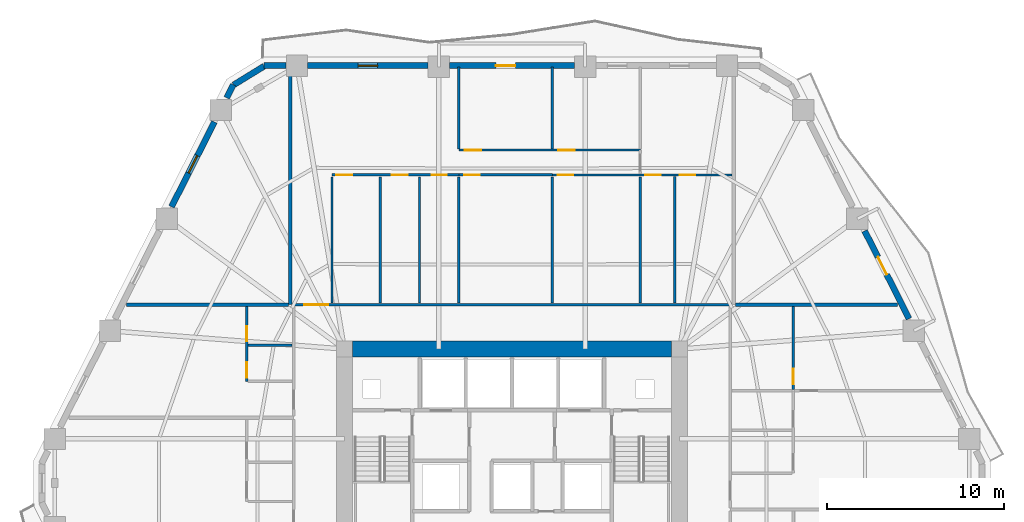
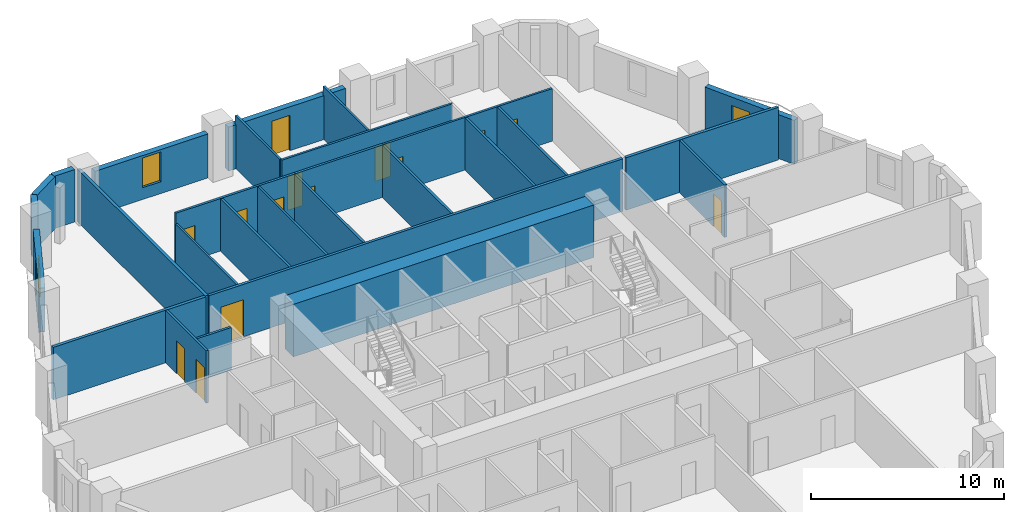
# One storey, part 7 of 11: 28 walls, 15 doors, 2 windows, 17 openings.
"""IFC4 building model written with IfcOpenShell, lengths in metres."""

import ifcopenshell
import ifcopenshell.guid

model = None  # the IFC model being written
_history = None  # IfcOwnerHistory: only IFC2X3 demands one
_inside = {}  # id of a spatial element -> (the spatial element, [elements in it])
_under = {}  # id of a project, library or spatial element -> (it, [spatial elements below it])
_declared = {}  # id of a project -> (the project, [libraries it declares])
_typed = {}  # id of a type object -> (the type object, [elements of that type])
_made_of = {}  # id of a material, layer set ... -> (it, [elements and type objects made of it])


def new_model(schema):
    """Start an empty IFC model of exactly this schema.

    Asked for "IFC4X3", IfcOpenShell would pick the latest addendum, in which some entities
    have other attributes; the version numbers below select the first issue.
    IFC2X3 requires an IfcOwnerHistory on every rooted entity: one is made here for all.
    """
    global model, _history
    if schema == "IFC4X3":
        model = ifcopenshell.file(schema_version=(4, 3, 0, 0))
    else:
        model = ifcopenshell.file(schema=schema)
    _inside.clear()
    _under.clear()
    _declared.clear()
    _typed.clear()
    _made_of.clear()
    _history = None
    if model.schema == "IFC2X3":
        org = make("IfcOrganization", Name="unknown")
        user = make(
            "IfcPersonAndOrganization",
            ThePerson=make("IfcPerson", FamilyName="unknown"),
            TheOrganization=org,
        )
        app = make(
            "IfcApplication",
            ApplicationDeveloper=org,
            Version="unknown",
            ApplicationFullName="unknown",
            ApplicationIdentifier="unknown",
        )
        _history = make(
            "IfcOwnerHistory",
            OwningUser=user,
            OwningApplication=app,
            ChangeAction="ADDED",
            CreationDate=0,
        )
    return model


def make(cls, **values):
    """One entity of the class cls with the attributes given. An attribute that is None is left unset."""
    return model.create_entity(
        cls, **{name: value for name, value in values.items() if value is not None}
    )


def rooted(cls, **values):
    """An entity with a GlobalId (a new one), such as an element, a storey or a relation."""
    return make(cls, GlobalId=ifcopenshell.guid.new(), OwnerHistory=_history, **values)


def si_unit(unit_type, name, prefix=None):
    """IfcSIUnit, for example si_unit("LENGTHUNIT", "METRE", prefix="MILLI")."""
    return make("IfcSIUnit", UnitType=unit_type, Prefix=prefix, Name=name)


def assignment(units):
    """IfcUnitAssignment: the units of a project."""
    return None if units is None else make("IfcUnitAssignment", Units=units)


def point(xyz):
    """IfcCartesianPoint."""
    return None if xyz is None else make("IfcCartesianPoint", Coordinates=xyz)


def direction(xyz):
    """IfcDirection."""
    return None if xyz is None else make("IfcDirection", DirectionRatios=xyz)


def frame(location, z_axis=None, x_axis=None):
    """IfcAxis2Placement3D, a coordinate frame: its origin and axes. An axis left out is left unset."""
    return make(
        "IfcAxis2Placement3D",
        Location=point(location),
        Axis=direction(z_axis),
        RefDirection=direction(x_axis),
    )


def frame_2d(location, x_axis=None):
    """IfcAxis2Placement2D, a coordinate frame in the plane: its origin and x axis."""
    return make(
        "IfcAxis2Placement2D", Location=point(location), RefDirection=direction(x_axis)
    )


def origin():
    """The frame at (0, 0, 0) with its axes left unset."""
    return frame((0.0, 0.0, 0.0))


def place(relative_to, where):
    """IfcLocalPlacement: puts the frame where relative to a parent placement (None: the world)."""
    return make(
        "IfcLocalPlacement", PlacementRelTo=relative_to, RelativePlacement=where
    )


def context(
    kind, dimensions, precision=None, world=None, true_north=None, identifier=None
):
    """IfcGeometricRepresentationContext, for example the 3D "Model" context."""
    return make(
        "IfcGeometricRepresentationContext",
        ContextIdentifier=identifier,
        ContextType=kind,
        CoordinateSpaceDimension=dimensions,
        Precision=precision,
        WorldCoordinateSystem=world,
        TrueNorth=true_north,
    )


def subcontext(parent, identifier, kind, view, scale=None):
    """IfcGeometricRepresentationSubContext, for example "Body" below "Model"."""
    return make(
        "IfcGeometricRepresentationSubContext",
        ContextIdentifier=identifier,
        ContextType=kind,
        ParentContext=parent,
        TargetScale=scale,
        TargetView=view,
    )


def project(units=None, contexts=None):
    """IfcProject with its units and contexts."""
    return rooted(
        "IfcProject",
        Name="project",
        RepresentationContexts=contexts,
        UnitsInContext=assignment(units),
    )


def spatial(cls, under=None, at=None, **own):
    """A site, building, storey or space (cls), placed at a placement, below another one or the project."""
    s = rooted(cls, ObjectPlacement=at, **own)
    if under is not None:
        _under.setdefault(under.id(), (under, []))[1].append(s)
    return s


def profile(cls, at=None, kind="AREA", **sizes):
    """A parametric profile (cls). Its sizes go by their IFC names, for example OverallWidth=200.0."""
    return make(cls, ProfileType=kind, Position=at, **sizes)


def rectangle(**sizes):
    """IfcRectangleProfileDef."""
    return profile("IfcRectangleProfileDef", **sizes)


def extrude(swept, where, along, depth):
    """IfcExtrudedAreaSolid: the profile swept, set in the frame where, extruded along a direction by depth."""
    return make(
        "IfcExtrudedAreaSolid",
        SweptArea=swept,
        Position=where,
        ExtrudedDirection=direction(along),
        Depth=depth,
    )


def shape(context_of_items, identifier, shape_type, items):
    """IfcShapeRepresentation: the items that make up one representation, for example the "Body"."""
    return make(
        "IfcShapeRepresentation",
        ContextOfItems=context_of_items,
        RepresentationIdentifier=identifier,
        RepresentationType=shape_type,
        Items=items,
    )


def material(Name=None, Category=None):
    """IfcMaterial."""
    return make("IfcMaterial", Name=Name, Category=Category)


def layer(
    of_material, thickness, ventilated=None, Name=None, Category=None, Priority=None
):
    """IfcMaterialLayer: one layer of a wall or slab, of a material (None: an air gap)."""
    return make(
        "IfcMaterialLayer",
        Material=of_material,
        LayerThickness=thickness,
        IsVentilated=ventilated,
        Name=Name,
        Category=Category,
        Priority=Priority,
    )


def layer_set(layers, Name=None):
    """IfcMaterialLayerSet."""
    return make("IfcMaterialLayerSet", MaterialLayers=layers, LayerSetName=Name)


def made_of(thing, what):
    """Note that an element or type object is made of a material, layer set ...; save() writes the relation."""
    if what is not None:
        _made_of.setdefault(what.id(), (what, []))[1].append(thing)
    return thing


def type_object(cls, material=None, **own):
    """A type object (cls), such as IfcWallType, which elements share."""
    return made_of(rooted(cls, **own), material)


def element(
    cls,
    number,
    at=None,
    inside=None,
    cuts=None,
    type_object=None,
    material=None,
    context=None,
    identifier="Body",
    shape_type=None,
    held_by="IfcProductDefinitionShape",
    body=None,
    shapes=None,
    **own,
):
    """One element of the class cls, such as IfcWall. Its Tag is "e" and its number.

    at: its placement. inside: the storey or other place that contains it. cuts: it is an
    opening in that element (IfcRelVoidsElement). A single representation is given by context,
    identifier, shape_type and body (its items); several are given by shapes. held_by: the class
    of the entity that holds the representations. save() writes the other relations.
    """
    e = rooted(cls, Tag="e%d" % number, ObjectPlacement=at, **own)
    if body is not None:
        shapes = [shape(context, identifier, shape_type, body)]
    if shapes is not None:
        e.Representation = make(held_by, Representations=shapes)
    if inside is not None:
        _inside.setdefault(inside.id(), (inside, []))[1].append(e)
    if cuts is not None:
        rooted(
            "IfcRelVoidsElement", RelatingBuildingElement=cuts, RelatedOpeningElement=e
        )
    if type_object is not None:
        _typed.setdefault(type_object.id(), (type_object, []))[1].append(e)
    return made_of(e, material)


def fill(opening, filler):
    """IfcRelFillsElement: the door or window that sits in an opening."""
    return rooted(
        "IfcRelFillsElement",
        RelatingOpeningElement=opening,
        RelatedBuildingElement=filler,
    )


def aggregate(whole, parts):
    """IfcRelAggregates: a whole, such as a stair, and the parts it consists of."""
    return rooted("IfcRelAggregates", RelatingObject=whole, RelatedObjects=parts)


def save(model, path):
    """Write the relations noted so far, then the file.

    IfcRelAggregates (storeys below a building ...), IfcRelContainedInSpatialStructure (elements
    in a storey), IfcRelDefinesByType, IfcRelAssociatesMaterial and IfcRelDeclares: one each for
    every whole, place, type object, material and project.
    """
    for whole, parts in _under.values():
        aggregate(whole, parts)
    for where, things in _inside.values():
        rooted(
            "IfcRelContainedInSpatialStructure",
            RelatedElements=things,
            RelatingStructure=where,
        )
    for kind, things in _typed.values():
        rooted("IfcRelDefinesByType", RelatedObjects=things, RelatingType=kind)
    for what, things in _made_of.values():
        rooted("IfcRelAssociatesMaterial", RelatedObjects=things, RelatingMaterial=what)
    for by, libraries in _declared.values():
        rooted("IfcRelDeclares", RelatingContext=by, RelatedDefinitions=libraries)
    model.write(path)


model = new_model("IFC4")

# Units and contexts
model_context = context("Model", 3, precision=1e-05, world=origin(), true_north=direction((0.0, 1.0)))
body_context = subcontext(model_context, "Body", "Model", "MODEL_VIEW")
ifc_project = project(units=[si_unit("LENGTHUNIT", "METRE"), si_unit("AREAUNIT", "SQUARE_METRE"), si_unit("VOLUMEUNIT", "CUBIC_METRE"), si_unit("PLANEANGLEUNIT", "RADIAN"), si_unit("MASSUNIT", "GRAM", prefix="KILO")], contexts=[model_context])

# Site, building, storey
site_placement = place(None, origin())
site = spatial("IfcSite", under=ifc_project, at=site_placement, CompositionType="ELEMENT")
building_placement = place(site_placement, origin())
building = spatial("IfcBuilding", under=site, at=building_placement, Name="Cinnabar Lancet Tower", CompositionType="ELEMENT")
storey_placement = place(building_placement, frame((0.0, 0.0, 42.64990234375)))
storey = spatial("IfcBuildingStorey", under=building, at=storey_placement, Name="L10", CompositionType="ELEMENT", Elevation=42.64990234375)

# Wall, opening, door
ifc_material_1 = material(Name="Acoustic twin-stud gypsum partition", Category="gypsum")
ifc_layer_1 = layer(ifc_material_1, 0.159912109375)
ifc_layer_set_1 = layer_set([ifc_layer_1], Name="Acoustic twin-stud gypsum partition")
wall_type_1 = type_object("IfcWallType", Name="ARC-WL-CORR-160", PredefinedType="PARTITIONING", material=ifc_layer_set_1)
wall_1_placement = place(storey_placement, frame((19.9951171875, 35.85009765625, 0.0), z_axis=(0.0, 0.0, 1.0), x_axis=(1.0, 0.0, 0.0)))
wall_1 = element("IfcWall", 1, at=wall_1_placement, inside=storey, type_object=wall_type_1, Name="L10 Unit N01 Corridor Wall", PredefinedType="PARTITIONING", context=body_context, shape_type="SweptSolid", body=[
    extrude(rectangle(XDim=24.809814453125, YDim=0.159912109375, at=frame_2d((12.40478515625, 0.0))), origin(), (0.0, 0.0, 1.0), 3.330078125),
])
opening_1_placement = place(wall_1_placement, frame((0.705078125, 0.0, 0.0)))
opening_1 = element("IfcOpeningElement", 2, at=opening_1_placement, cuts=wall_1, Name="Opening UD-02", PredefinedType="OPENING", context=body_context, shape_type="SweptSolid", body=[
    extrude(rectangle(XDim=1.35009765625, YDim=2.35009765625, at=frame_2d((0.675048828125, 1.175048828125))), frame((0.0, 0.08984375, 0.0), z_axis=(0.0, -1.0, 0.0), x_axis=(1.0, 0.0, 0.0)), (0.0, 0.0, 1.0), 0.179931640625),
])
ifc_material_2 = material(Name="Double-leaf solid timber penthouse entrance door", Category="wood")
door_type_1 = type_object("IfcDoorType", Name="ARC-DR-UNIT-PH", OperationType="NOTDEFINED", PredefinedType="DOOR", material=ifc_material_2)
door_1_placement = place(opening_1_placement, origin())
door_1 = element("IfcDoor", 3, at=door_1_placement, inside=storey, type_object=door_type_1, Name="DR-L10-N01-ENT", OperationType="SINGLE_SWING_RIGHT", OverallHeight=2.35009765625, OverallWidth=1.35009765625, PredefinedType="DOOR", context=body_context, shape_type="SweptSolid", body=[
    extrude(rectangle(XDim=1.35009765625, YDim=2.35009765625, at=frame_2d((0.675048828125, 1.175048828125))), frame((0.0, 0.02490234375, 0.0), z_axis=(0.0, -1.0, 0.0), x_axis=(1.0, 0.0, 0.0)), (0.0, 0.0, 1.0), 0.050048828125),
])
fill(opening_1, door_1)

# Walls
ifc_material_3 = material(Name="Fire-rated twin-frame acoustic drywall", Category="gypsum")
ifc_layer_2 = layer(ifc_material_3, 0.179931640625)
ifc_layer_set_2 = layer_set([ifc_layer_2], Name="Fire-rated twin-frame acoustic drywall")
wall_type_2 = type_object("IfcWallType", Name="ARC-WL-PARTY-180", PredefinedType="PARTITIONING", material=ifc_layer_set_2)
wall_2_placement = place(storey_placement, frame((19.89990234375, 35.85009765625, 0.0), z_axis=(0.0, 0.0, 1.0), x_axis=(0.0, 1.0, 0.0)))
element("IfcWall", 4, at=wall_2_placement, inside=storey, type_object=wall_type_2, Name="PW-L10-NPTY-199", PredefinedType="PARTITIONING", context=body_context, shape_type="SweptSolid", body=[
    extrude(rectangle(XDim=13.294921875, YDim=0.179931640625, at=frame_2d((6.6474609375, 0.0))), origin(), (0.0, 0.0, 1.0), 3.330078125),
])
for number, where, z_axis, x_axis, name in (
    (5, (10.6650390625, 35.85009765625, 0.0), (0.0, 0.0, 1.0), (1.0, 0.0, 0.0), "PW-L10-WNB"),
    (6, (44.9951171875, 35.85009765625, 0.0), (0.0, 0.0, 1.0), (1.0, 0.0, 0.0), "PW-L10-ENB"),
):
    element("IfcWall", number, at=place(storey_placement, frame(where, z_axis=z_axis, x_axis=x_axis)), inside=storey, type_object=wall_type_2, Name=name, PredefinedType="PARTITIONING", context=body_context, shape_type="SweptSolid", body=[
        extrude(rectangle(XDim=9.139892578125, YDim=0.179931640625, at=frame_2d((4.56982421875, 0.0))), origin(), (0.0, 0.0, 1.0), 3.330078125),
    ])
ifc_material_4 = material(Name="Gypsum plasterboard stud partition", Category="gypsum")
ifc_layer_3 = layer(ifc_material_4, 0.125)
ifc_layer_set_3 = layer_set([ifc_layer_3], Name="Gypsum plasterboard stud partition")
wall_type_3 = type_object("IfcWallType", Name="ARC-WL-UNIT-125", PredefinedType="PARTITIONING", material=ifc_layer_set_3)
wall_3_placement = place(storey_placement, frame((22.25, 35.93505859375, 0.0), z_axis=(0.0, 0.0, 1.0), x_axis=(0.0, 1.0, 0.0)))
element("IfcWall", 7, at=wall_3_placement, inside=storey, type_object=wall_type_3, Name="UW-L10-N01-FOYE", PredefinedType="PARTITIONING", context=body_context, shape_type="SweptSolid", body=[
    extrude(rectangle(XDim=7.121826171875, YDim=0.125, at=frame_2d((3.56103515625, 0.0))), origin(), (0.0, 0.0, 1.0), 2.7001953125),
])

# Wall, openings, doors
wall_4_placement = place(storey_placement, frame((34.669921875, 43.162109375, 0.0), z_axis=(0.0, 0.0, 1.0), x_axis=(1.0, 0.0, 0.0)))
wall_4 = element("IfcWall", 8, at=wall_4_placement, inside=storey, type_object=wall_type_3, Name="UW-L10-N01-SP2", PredefinedType="PARTITIONING", context=body_context, shape_type="SweptSolid", body=[
    extrude(rectangle(XDim=10.135009765625, YDim=0.125, at=frame_2d((5.0673828125, 0.0))), origin(), (0.0, 0.0, 1.0), 3.330078125),
])
opening_2_placement = place(wall_4_placement, frame((5.239990234375, 0.0, 0.0)))
opening_2 = element("IfcOpeningElement", 9, at=opening_2_placement, cuts=wall_4, Name="Opening BD-01", PredefinedType="OPENING", context=body_context, shape_type="SweptSolid", body=[
    extrude(rectangle(XDim=0.860107421875, YDim=2.10009765625, at=frame_2d((0.43017578125, 1.050048828125))), frame((0.0, 0.072509765625, 0.0), z_axis=(0.0, -1.0, 0.0), x_axis=(1.0, 0.0, 0.0)), (0.0, 0.0, 1.0), 0.14501953125),
])
opening_3_placement = place(wall_4_placement, frame((7.169921875, 0.0, 0.0)))
opening_3 = element("IfcOpeningElement", 10, at=opening_3_placement, cuts=wall_4, Name="Opening RD-02", PredefinedType="OPENING", context=body_context, shape_type="SweptSolid", body=[
    extrude(rectangle(XDim=0.8798828125, YDim=2.14990234375, at=frame_2d((0.43994140625, 1.074951171875))), frame((0.0, 0.072509765625, 0.0), z_axis=(0.0, -1.0, 0.0), x_axis=(1.0, 0.0, 0.0)), (0.0, 0.0, 1.0), 0.14501953125),
])
opening_4_placement = place(wall_4_placement, frame((0.300048828125, 0.0, 0.0)))
opening_4 = element("IfcOpeningElement", 11, at=opening_4_placement, cuts=wall_4, Name="Opening RD-02", PredefinedType="OPENING", context=body_context, shape_type="SweptSolid", body=[
    extrude(rectangle(XDim=0.8798828125, YDim=2.14990234375, at=frame_2d((0.43994140625, 1.074951171875))), frame((0.0, 0.072509765625, 0.0), z_axis=(0.0, -1.0, 0.0), x_axis=(1.0, 0.0, 0.0)), (0.0, 0.0, 1.0), 0.14501953125),
])
ifc_material_5 = material(Name="Moisture-resistant timber bathroom door", Category="wood")
door_type_2 = type_object("IfcDoorType", Name="ARC-DR-BATH", OperationType="NOTDEFINED", PredefinedType="DOOR", material=ifc_material_5)
door_2_placement = place(opening_2_placement, origin())
door_2 = element("IfcDoor", 12, at=door_2_placement, inside=storey, type_object=door_type_2, Name="DR-L10-N01-ENS", OperationType="SINGLE_SWING_LEFT", OverallHeight=2.10009765625, OverallWidth=0.860107421875, PredefinedType="DOOR", context=body_context, shape_type="SweptSolid", body=[
    extrude(rectangle(XDim=0.860107421875, YDim=2.10009765625, at=frame_2d((0.43017578125, 1.050048828125))), frame((0.0, 0.02490234375, 0.0), z_axis=(0.0, -1.0, 0.0), x_axis=(1.0, 0.0, 0.0)), (0.0, 0.0, 1.0), 0.050048828125),
])
fill(opening_2, door_2)
ifc_material_6 = material(Name="Engineered timber study door", Category="wood")
door_type_3 = type_object("IfcDoorType", Name="ARC-DR-STUDY", OperationType="NOTDEFINED", PredefinedType="DOOR", material=ifc_material_6)
door_3_placement = place(opening_3_placement, origin())
door_3 = element("IfcDoor", 13, at=door_3_placement, inside=storey, type_object=door_type_3, Name="DR-L10-N01-ENS-WDR", OperationType="SINGLE_SWING_RIGHT", OverallHeight=2.14990234375, OverallWidth=0.8798828125, PredefinedType="DOOR", context=body_context, shape_type="SweptSolid", body=[
    extrude(rectangle(XDim=0.8798828125, YDim=2.14990234375, at=frame_2d((0.43994140625, 1.074951171875))), frame((0.0, 0.02490234375, 0.0), z_axis=(0.0, -1.0, 0.0), x_axis=(1.0, 0.0, 0.0)), (0.0, 0.0, 1.0), 0.050048828125),
])
fill(opening_3, door_3)
door_4_placement = place(opening_4_placement, origin())
door_4 = element("IfcDoor", 14, at=door_4_placement, inside=storey, type_object=door_type_3, Name="DR-L10-N01-DRS", OperationType="SINGLE_SWING_RIGHT", OverallHeight=2.14990234375, OverallWidth=0.8798828125, PredefinedType="DOOR", context=body_context, shape_type="SweptSolid", body=[
    extrude(rectangle(XDim=0.8798828125, YDim=2.14990234375, at=frame_2d((0.43994140625, 1.074951171875))), frame((0.0, 0.02490234375, 0.0), z_axis=(0.0, -1.0, 0.0), x_axis=(1.0, 0.0, 0.0)), (0.0, 0.0, 1.0), 0.050048828125),
])
fill(opening_4, door_4)

# Walls
wall_5_placement = place(storey_placement, frame((27.18310546875, 35.93505859375, 0.0), z_axis=(0.0, 0.0, 1.0), x_axis=(0.0, 1.0, 0.0)))
element("IfcWall", 15, at=wall_5_placement, inside=storey, type_object=wall_type_3, Name="UW-L10-N01-STD", PredefinedType="PARTITIONING", context=body_context, shape_type="SweptSolid", body=[
    extrude(rectangle(XDim=7.121826171875, YDim=0.125, at=frame_2d((3.56103515625, 0.0))), origin(), (0.0, 0.0, 1.0), 3.330078125),
])
wall_6_placement = place(storey_placement, frame((29.39990234375, 44.626953125, 0.0), z_axis=(0.0, 0.0, 1.0), x_axis=(0.0, 1.0, 0.0)))
element("IfcWall", 16, at=wall_6_placement, inside=storey, type_object=wall_type_3, Name="UW-L10-N01-BD2W", PredefinedType="PARTITIONING", context=body_context, shape_type="SweptSolid", body=[
    extrude(rectangle(XDim=4.608154296875, YDim=0.125, at=frame_2d((2.30419921875, 0.0))), origin(), (0.0, 0.0, 1.0), 3.330078125),
])

# Wall, openings, doors
wall_7_placement = place(storey_placement, frame((29.39990234375, 44.56201171875, 0.0), z_axis=(0.0, 0.0, 1.0), x_axis=(1.0, 0.0, 0.0)))
wall_7 = element("IfcWall", 17, at=wall_7_placement, inside=storey, type_object=wall_type_3, Name="UW-L10-N01-HLN", PredefinedType="PARTITIONING", context=body_context, shape_type="SweptSolid", body=[
    extrude(rectangle(XDim=10.22998046875, YDim=0.125, at=frame_2d((5.114990234375, 0.0))), origin(), (0.0, 0.0, 1.0), 3.330078125),
])
opening_5_placement = place(wall_7_placement, frame((0.35009765625, 0.0, 0.0)))
opening_5 = element("IfcOpeningElement", 18, at=opening_5_placement, cuts=wall_7, Name="Opening RD-01", PredefinedType="OPENING", context=body_context, shape_type="SweptSolid", body=[
    extrude(rectangle(XDim=0.919921875, YDim=2.14990234375, at=frame_2d((0.4599609375, 1.074951171875))), frame((0.0, 0.072509765625, 0.0), z_axis=(0.0, -1.0, 0.0), x_axis=(1.0, 0.0, 0.0)), (0.0, 0.0, 1.0), 0.14501953125),
])
opening_6_placement = place(wall_7_placement, frame((5.6201171875, 0.0, 0.0)))
opening_6 = element("IfcOpeningElement", 19, at=opening_6_placement, cuts=wall_7, Name="Opening RD-01", PredefinedType="OPENING", context=body_context, shape_type="SweptSolid", body=[
    extrude(rectangle(XDim=0.919921875, YDim=2.14990234375, at=frame_2d((0.4599609375, 1.074951171875))), frame((0.0, 0.072509765625, 0.0), z_axis=(0.0, -1.0, 0.0), x_axis=(1.0, 0.0, 0.0)), (0.0, 0.0, 1.0), 0.14501953125),
])
ifc_material_7 = material(Name="Engineered timber bedroom door", Category="wood")
door_type_4 = type_object("IfcDoorType", Name="ARC-DR-ROOM", OperationType="NOTDEFINED", PredefinedType="DOOR", material=ifc_material_7)
door_5_placement = place(opening_5_placement, origin())
door_5 = element("IfcDoor", 20, at=door_5_placement, inside=storey, type_object=door_type_4, Name="DR-L10-N01-BD2", OperationType="SINGLE_SWING_LEFT", OverallHeight=2.14990234375, OverallWidth=0.919921875, PredefinedType="DOOR", context=body_context, shape_type="SweptSolid", body=[
    extrude(rectangle(XDim=0.919921875, YDim=2.14990234375, at=frame_2d((0.4599609375, 1.074951171875))), frame((0.0, 0.02490234375, 0.0), z_axis=(0.0, -1.0, 0.0), x_axis=(1.0, 0.0, 0.0)), (0.0, 0.0, 1.0), 0.050048828125),
])
fill(opening_5, door_5)
door_6_placement = place(opening_6_placement, origin())
door_6 = element("IfcDoor", 21, at=door_6_placement, inside=storey, type_object=door_type_4, Name="DR-L10-N01-BD3", OperationType="SINGLE_SWING_RIGHT", OverallHeight=2.14990234375, OverallWidth=0.919921875, PredefinedType="DOOR", context=body_context, shape_type="SweptSolid", body=[
    extrude(rectangle(XDim=0.919921875, YDim=2.14990234375, at=frame_2d((0.4599609375, 1.074951171875))), frame((0.0, 0.02490234375, 0.0), z_axis=(0.0, -1.0, 0.0), x_axis=(1.0, 0.0, 0.0)), (0.0, 0.0, 1.0), 0.050048828125),
])
fill(opening_6, door_6)

# Wall
wall_8_placement = place(storey_placement, frame((34.669921875, 44.626953125, 0.0), z_axis=(0.0, 0.0, 1.0), x_axis=(0.0, 1.0, 0.0)))
element("IfcWall", 22, at=wall_8_placement, inside=storey, type_object=wall_type_3, Name="UW-L10-N01-MB2W", PredefinedType="PARTITIONING", context=body_context, shape_type="SweptSolid", body=[
    extrude(rectangle(XDim=4.608154296875, YDim=0.125, at=frame_2d((2.30419921875, 0.0))), origin(), (0.0, 0.0, 1.0), 3.330078125),
])

# Wall, openings, doors
ifc_material_8 = material(Name="Moisture-resistant cement-board plumbing wall", Category="masonry")
ifc_layer_4 = layer(ifc_material_8, 0.139892578125)
ifc_layer_set_4 = layer_set([ifc_layer_4], Name="Moisture-resistant cement-board plumbing wall")
wall_type_4 = type_object("IfcWallType", Name="ARC-WL-WET-140", PredefinedType="PLUMBINGWALL", material=ifc_layer_set_4)
wall_9_placement = place(storey_placement, frame((22.25, 43.162109375, 0.0), z_axis=(0.0, 0.0, 1.0), x_axis=(1.0, 0.0, 0.0)))
wall_9 = element("IfcWall", 23, at=wall_9_placement, inside=storey, type_object=wall_type_4, Name="UW-L10-N01-SPL", PredefinedType="PLUMBINGWALL", context=body_context, shape_type="SweptSolid", body=[
    extrude(rectangle(XDim=7.14990234375, YDim=0.139892578125, at=frame_2d((3.574951171875, 0.0))), origin(), (0.0, 0.0, 1.0), 3.330078125),
])
opening_7_placement = place(wall_9_placement, frame((5.615966796875, 0.0, 0.0)))
opening_7 = element("IfcOpeningElement", 24, at=opening_7_placement, cuts=wall_9, Name="Opening BD-01", PredefinedType="OPENING", context=body_context, shape_type="SweptSolid", body=[
    extrude(rectangle(XDim=0.860107421875, YDim=2.10009765625, at=frame_2d((0.43017578125, 1.050048828125))), frame((0.0, 0.079833984375, 0.0), z_axis=(0.0, -1.0, 0.0), x_axis=(1.0, 0.0, 0.0)), (0.0, 0.0, 1.0), 0.159912109375),
])
opening_8_placement = place(wall_9_placement, frame((0.260009765625, 0.0, 0.0)))
opening_8 = element("IfcOpeningElement", 25, at=opening_8_placement, cuts=wall_9, Name="Opening RD-02", PredefinedType="OPENING", context=body_context, shape_type="SweptSolid", body=[
    extrude(rectangle(XDim=0.8798828125, YDim=2.14990234375, at=frame_2d((0.43994140625, 1.074951171875))), frame((0.0, 0.079833984375, 0.0), z_axis=(0.0, -1.0, 0.0), x_axis=(1.0, 0.0, 0.0)), (0.0, 0.0, 1.0), 0.159912109375),
])
opening_9_placement = place(wall_9_placement, frame((3.385009765625, 0.0, 0.0)))
opening_9 = element("IfcOpeningElement", 26, at=opening_9_placement, cuts=wall_9, Name="Opening RD-02", PredefinedType="OPENING", context=body_context, shape_type="SweptSolid", body=[
    extrude(rectangle(XDim=0.8798828125, YDim=2.14990234375, at=frame_2d((0.43994140625, 1.074951171875))), frame((0.0, 0.079833984375, 0.0), z_axis=(0.0, -1.0, 0.0), x_axis=(1.0, 0.0, 0.0)), (0.0, 0.0, 1.0), 0.159912109375),
])
door_7_placement = place(opening_7_placement, origin())
door_7 = element("IfcDoor", 27, at=door_7_placement, inside=storey, type_object=door_type_2, Name="DR-L10-N01-BTH", OperationType="SINGLE_SWING_LEFT", OverallHeight=2.10009765625, OverallWidth=0.860107421875, PredefinedType="DOOR", context=body_context, shape_type="SweptSolid", body=[
    extrude(rectangle(XDim=0.860107421875, YDim=2.10009765625, at=frame_2d((0.43017578125, 1.050048828125))), frame((0.0, 0.02490234375, 0.0), z_axis=(0.0, -1.0, 0.0), x_axis=(1.0, 0.0, 0.0)), (0.0, 0.0, 1.0), 0.050048828125),
])
fill(opening_7, door_7)
door_8_placement = place(opening_8_placement, origin())
door_8 = element("IfcDoor", 28, at=door_8_placement, inside=storey, type_object=door_type_3, Name="DR-L10-N01-KIT", OperationType="SINGLE_SWING_LEFT", OverallHeight=2.14990234375, OverallWidth=0.8798828125, PredefinedType="DOOR", context=body_context, shape_type="SweptSolid", body=[
    extrude(rectangle(XDim=0.8798828125, YDim=2.14990234375, at=frame_2d((0.43994140625, 1.074951171875))), frame((0.0, 0.02490234375, 0.0), z_axis=(0.0, -1.0, 0.0), x_axis=(1.0, 0.0, 0.0)), (0.0, 0.0, 1.0), 0.050048828125),
])
fill(opening_8, door_8)
door_9_placement = place(opening_9_placement, origin())
door_9 = element("IfcDoor", 29, at=door_9_placement, inside=storey, type_object=door_type_3, Name="DR-L10-N01-STD", OperationType="SINGLE_SWING_RIGHT", OverallHeight=2.14990234375, OverallWidth=0.8798828125, PredefinedType="DOOR", context=body_context, shape_type="SweptSolid", body=[
    extrude(rectangle(XDim=0.8798828125, YDim=2.14990234375, at=frame_2d((0.43994140625, 1.074951171875))), frame((0.0, 0.02490234375, 0.0), z_axis=(0.0, -1.0, 0.0), x_axis=(1.0, 0.0, 0.0)), (0.0, 0.0, 1.0), 0.050048828125),
])
fill(opening_9, door_9)

# Wall, opening, door
wall_10_placement = place(storey_placement, frame((29.39990234375, 43.162109375, 0.0), z_axis=(0.0, 0.0, 1.0), x_axis=(1.0, 0.0, 0.0)))
wall_10 = element("IfcWall", 30, at=wall_10_placement, inside=storey, type_object=wall_type_4, Name="UW-L10-N01-SPM", PredefinedType="PLUMBINGWALL", context=body_context, shape_type="SweptSolid", body=[
    extrude(rectangle(XDim=5.27001953125, YDim=0.139892578125, at=frame_2d((2.635009765625, 0.0))), origin(), (0.0, 0.0, 1.0), 3.330078125),
])
opening_10_placement = place(wall_10_placement, frame((0.300048828125, 0.0, 0.0)))
opening_10 = element("IfcOpeningElement", 31, at=opening_10_placement, cuts=wall_10, Name="Opening RD-02", PredefinedType="OPENING", context=body_context, shape_type="SweptSolid", body=[
    extrude(rectangle(XDim=0.8798828125, YDim=2.14990234375, at=frame_2d((0.43994140625, 1.074951171875))), frame((0.0, 0.079833984375, 0.0), z_axis=(0.0, -1.0, 0.0), x_axis=(1.0, 0.0, 0.0)), (0.0, 0.0, 1.0), 0.159912109375),
])
door_10_placement = place(opening_10_placement, origin())
door_10 = element("IfcDoor", 32, at=door_10_placement, inside=storey, type_object=door_type_3, Name="DR-L10-N01-UTL", OperationType="SINGLE_SWING_RIGHT", OverallHeight=2.14990234375, OverallWidth=0.8798828125, PredefinedType="DOOR", context=body_context, shape_type="SweptSolid", body=[
    extrude(rectangle(XDim=0.8798828125, YDim=2.14990234375, at=frame_2d((0.43994140625, 1.074951171875))), frame((0.0, 0.02490234375, 0.0), z_axis=(0.0, -1.0, 0.0), x_axis=(1.0, 0.0, 0.0)), (0.0, 0.0, 1.0), 0.050048828125),
])
fill(opening_10, door_10)

# Walls
for number, where, z_axis, x_axis, name in (
    (33, (24.967041015625, 35.93505859375, 0.0), (0.0, 0.0, 1.0), (0.0, 1.0, 0.0), "UW-L10-N01-KDV"),
    (34, (29.39990234375, 35.93505859375, 0.0), (0.0, 0.0, 1.0), (0.0, 1.0, 0.0), "UW-L10-N01-ENSW"),
    (35, (34.669921875, 35.93505859375, 0.0), (0.0, 0.0, 1.0), (0.0, 1.0, 0.0), "UW-L10-N01-ENSE"),
    (36, (39.6298828125, 35.93505859375, 0.0), (0.0, 0.0, 1.0), (0.0, 1.0, 0.0), "UW-L10-N01-UT3"),
):
    element("IfcWall", number, at=place(storey_placement, frame(where, z_axis=z_axis, x_axis=x_axis)), inside=storey, type_object=wall_type_4, Name=name, PredefinedType="PLUMBINGWALL", context=body_context, shape_type="SweptSolid", body=[
        extrude(rectangle(XDim=7.121826171875, YDim=0.139892578125, at=frame_2d((3.56103515625, 0.0))), origin(), (0.0, 0.0, 1.0), 3.330078125),
    ])
wall_11_placement = place(storey_placement, frame((41.56005859375, 35.93505859375, 0.0), z_axis=(0.0, 0.0, 1.0), x_axis=(0.0, 1.0, 0.0)))
element("IfcWall", 37, at=wall_11_placement, inside=storey, type_object=wall_type_4, Name="UW-L10-N01-ENS-WDV", PredefinedType="PLUMBINGWALL", context=body_context, shape_type="SweptSolid", body=[
    extrude(rectangle(XDim=7.141845703125, YDim=0.139892578125, at=frame_2d((3.57080078125, 0.0))), origin(), (0.0, 0.0, 1.0), 3.330078125),
])

# Wall, openings, doors
wall_12_placement = place(storey_placement, frame((17.449951171875, 31.531982421875, 0.0), z_axis=(0.0, 0.0, 1.0), x_axis=(0.0, 1.0, 0.0)))
wall_12 = element("IfcWall", 38, at=wall_12_placement, inside=storey, type_object=wall_type_4, Name="UW-L10-W03-SPL", PredefinedType="PLUMBINGWALL", context=body_context, shape_type="SweptSolid", body=[
    extrude(rectangle(XDim=4.222900390625, YDim=0.139892578125, at=frame_2d((2.111328125, 0.0))), origin(), (0.0, 0.0, 1.0), 3.330078125),
])
opening_11_placement = place(wall_12_placement, frame((2.2470703125, 0.0, 0.0)))
opening_11 = element("IfcOpeningElement", 39, at=opening_11_placement, cuts=wall_12, Name="Opening BD-01", PredefinedType="OPENING", context=body_context, shape_type="SweptSolid", body=[
    extrude(rectangle(XDim=0.860107421875, YDim=2.10009765625, at=frame_2d((0.43017578125, 1.050048828125))), frame((0.0, 0.079833984375, 0.0), z_axis=(0.0, -1.0, 0.0), x_axis=(1.0, 0.0, 0.0)), (0.0, 0.0, 1.0), 0.159912109375),
])
opening_12_placement = place(wall_12_placement, frame((0.199951171875, 0.0, 0.0)))
opening_12 = element("IfcOpeningElement", 40, at=opening_12_placement, cuts=wall_12, Name="Opening RD-02", PredefinedType="OPENING", context=body_context, shape_type="SweptSolid", body=[
    extrude(rectangle(XDim=0.8798828125, YDim=2.14990234375, at=frame_2d((0.43994140625, 1.074951171875))), frame((0.0, 0.079833984375, 0.0), z_axis=(0.0, -1.0, 0.0), x_axis=(1.0, 0.0, 0.0)), (0.0, 0.0, 1.0), 0.159912109375),
])
door_11_placement = place(opening_11_placement, origin())
door_11 = element("IfcDoor", 41, at=door_11_placement, inside=storey, type_object=door_type_2, Name="DR-L10-W03-BTH", OperationType="SINGLE_SWING_LEFT", OverallHeight=2.10009765625, OverallWidth=0.860107421875, PredefinedType="DOOR", context=body_context, shape_type="SweptSolid", body=[
    extrude(rectangle(XDim=0.860107421875, YDim=2.10009765625, at=frame_2d((0.43017578125, 1.050048828125))), frame((0.0, 0.02490234375, 0.0), z_axis=(0.0, -1.0, 0.0), x_axis=(1.0, 0.0, 0.0)), (0.0, 0.0, 1.0), 0.050048828125),
])
fill(opening_11, door_11)
door_12_placement = place(opening_12_placement, origin())
door_12 = element("IfcDoor", 42, at=door_12_placement, inside=storey, type_object=door_type_3, Name="DR-L10-W03-KIT", OperationType="SINGLE_SWING_RIGHT", OverallHeight=2.14990234375, OverallWidth=0.8798828125, PredefinedType="DOOR", context=body_context, shape_type="SweptSolid", body=[
    extrude(rectangle(XDim=0.8798828125, YDim=2.14990234375, at=frame_2d((0.43994140625, 1.074951171875))), frame((0.0, 0.02490234375, 0.0), z_axis=(0.0, -1.0, 0.0), x_axis=(1.0, 0.0, 0.0)), (0.0, 0.0, 1.0), 0.050048828125),
])
fill(opening_12, door_12)

# Wall
wall_13_placement = place(storey_placement, frame((17.534912109375, 33.55908203125, 0.0), z_axis=(0.0, 0.0, 1.0), x_axis=(1.0, 0.0, 0.0)))
element("IfcWall", 43, at=wall_13_placement, inside=storey, type_object=wall_type_4, Name="UW-L10-W03-KDV", PredefinedType="PLUMBINGWALL", context=body_context, shape_type="SweptSolid", body=[
    extrude(rectangle(XDim=2.47998046875, YDim=0.139892578125, at=frame_2d((1.239990234375, 0.0))), origin(), (0.0, 0.0, 1.0), 2.7001953125),
])

# Wall, opening, door
wall_14_placement = place(storey_placement, frame((48.25, 31.072021484375, 0.0), z_axis=(0.0, 0.0, 1.0), x_axis=(0.0, 1.0, 0.0)))
wall_14 = element("IfcWall", 44, at=wall_14_placement, inside=storey, type_object=wall_type_4, Name="UW-L10-E02-SPM", PredefinedType="PLUMBINGWALL", context=body_context, shape_type="SweptSolid", body=[
    extrude(rectangle(XDim=4.682861328125, YDim=0.139892578125, at=frame_2d((2.34130859375, 0.0))), origin(), (0.0, 0.0, 1.0), 3.330078125),
])
opening_13_placement = place(wall_14_placement, frame((0.300048828125, 0.0, 0.0)))
opening_13 = element("IfcOpeningElement", 45, at=opening_13_placement, cuts=wall_14, Name="Opening BD-01", PredefinedType="OPENING", context=body_context, shape_type="SweptSolid", body=[
    extrude(rectangle(XDim=0.860107421875, YDim=2.10009765625, at=frame_2d((0.43017578125, 1.050048828125))), frame((0.0, 0.079833984375, 0.0), z_axis=(0.0, -1.0, 0.0), x_axis=(1.0, 0.0, 0.0)), (0.0, 0.0, 1.0), 0.159912109375),
])
door_13_placement = place(opening_13_placement, origin())
door_13 = element("IfcDoor", 46, at=door_13_placement, inside=storey, type_object=door_type_2, Name="DR-L10-E02-ENS", OperationType="SINGLE_SWING_LEFT", OverallHeight=2.10009765625, OverallWidth=0.860107421875, PredefinedType="DOOR", context=body_context, shape_type="SweptSolid", body=[
    extrude(rectangle(XDim=0.860107421875, YDim=2.10009765625, at=frame_2d((0.43017578125, 1.050048828125))), frame((0.0, 0.02490234375, 0.0), z_axis=(0.0, -1.0, 0.0), x_axis=(1.0, 0.0, 0.0)), (0.0, 0.0, 1.0), 0.050048828125),
])
fill(opening_13, door_13)

# Wall
ifc_material_9 = material(Name="Cinnabar red clay brick", Category="masonry")
ifc_layer_5 = layer(ifc_material_9, 0.340087890625)
ifc_layer_set_5 = layer_set([ifc_layer_5], Name="Cinnabar red clay brick")
wall_type_5 = type_object("IfcWallType", Name="ENV-WL-BRK-RED-340", PredefinedType="STANDARD", material=ifc_layer_set_5)
wall_15_placement = place(storey_placement, frame((18.43896484375, 49.294921875, 0.0), z_axis=(0.0, 0.0, 1.0), x_axis=(-0.851870104345, -0.523753114857, 0.0)))
element("IfcWall", 47, at=wall_15_placement, inside=storey, type_object=wall_type_5, Name="L10 Chamfered Corner Brick Pier 5.1", PredefinedType="STANDARD", context=body_context, shape_type="SweptSolid", body=[
    extrude(rectangle(XDim=2.017822265625, YDim=0.340087890625, at=frame_2d((1.0087890625, 0.0))), origin(), (0.0, 0.0, 1.0), 3.330078125),
])

# Wall, opening, door
wall_16_placement = place(storey_placement, frame((54.77587890625, 35.06103515625, 0.0), z_axis=(0.0, 0.0, 1.0), x_axis=(-0.451592100298, 0.892224509273, 0.0)))
wall_16 = element("IfcWall", 48, at=wall_16_placement, inside=storey, type_object=wall_type_5, Name="L10 Face 3 Masonry Bay Wall 3", PredefinedType="STANDARD", context=body_context, shape_type="SweptSolid", body=[
    extrude(rectangle(XDim=5.546875, YDim=0.340087890625, at=frame_2d((2.7734375, 0.0))), origin(), (0.0, 0.0, 1.0), 2.787109375),
])
opening_14_placement = place(wall_16_placement, frame((2.791015625, 0.0, 0.0)))
opening_14 = element("IfcOpeningElement", 49, at=opening_14_placement, cuts=wall_16, Name="Opening TD-01", PredefinedType="OPENING", context=body_context, shape_type="SweptSolid", body=[
    extrude(rectangle(XDim=1.10009765625, YDim=2.25, at=frame_2d((0.550048828125, 1.125))), frame((0.0, 0.179931640625, 0.0), z_axis=(0.0, -1.0, 0.0), x_axis=(1.0, 0.0, 0.0)), (0.0, 0.0, 1.0), 0.360107421875),
])
ifc_material_10 = material(Name="Thermally broken low-E glazed balcony terrace door", Category="wood")
door_type_5 = type_object("IfcDoorType", Name="ARC-DR-BALC", OperationType="NOTDEFINED", PredefinedType="DOOR", material=ifc_material_10)
door_14_placement = place(opening_14_placement, origin())
door_14 = element("IfcDoor", 50, at=door_14_placement, inside=storey, type_object=door_type_5, Name="L10 Face 3 Glazed Terrace Door", OperationType="SINGLE_SWING_RIGHT", OverallHeight=2.25, OverallWidth=1.10009765625, PredefinedType="DOOR", context=body_context, shape_type="SweptSolid", body=[
    extrude(rectangle(XDim=1.10009765625, YDim=2.25, at=frame_2d((0.550048828125, 1.125))), frame((0.0, 0.02490234375, 0.0), z_axis=(0.0, -1.0, 0.0), x_axis=(1.0, 0.0, 0.0)), (0.0, 0.0, 1.0), 0.050048828125),
])
fill(opening_14, door_14)

wall_17_placement = place(storey_placement, frame((35.91796875, 49.320068359375, 0.0), z_axis=(0.0, 0.0, 1.0), x_axis=(-1.0, 0.0, 0.0)))
wall_17 = element("IfcWall", 51, at=wall_17_placement, inside=storey, type_object=wall_type_5, Name="L10 Face 4 Masonry Bay Wall 3", PredefinedType="STANDARD", context=body_context, shape_type="SweptSolid", body=[
    extrude(rectangle(XDim=7.035888671875, YDim=0.340087890625, at=frame_2d((3.51806640625, 0.0))), origin(), (0.0, 0.0, 1.0), 2.787109375),
])
opening_15_placement = place(wall_17_placement, frame((3.3330078125, 0.0, 0.0)))
opening_15 = element("IfcOpeningElement", 52, at=opening_15_placement, cuts=wall_17, Name="Opening TD-01", PredefinedType="OPENING", context=body_context, shape_type="SweptSolid", body=[
    extrude(rectangle(XDim=1.10009765625, YDim=2.25, at=frame_2d((0.550048828125, 1.125))), frame((0.0, 0.179931640625, 0.0), z_axis=(0.0, -1.0, 0.0), x_axis=(1.0, 0.0, 0.0)), (0.0, 0.0, 1.0), 0.360107421875),
])
door_15_placement = place(opening_15_placement, origin())
door_15 = element("IfcDoor", 53, at=door_15_placement, inside=storey, type_object=door_type_5, Name="L10 Face 4 Glazed Terrace Door", OperationType="SINGLE_SWING_LEFT", OverallHeight=2.25, OverallWidth=1.10009765625, PredefinedType="DOOR", context=body_context, shape_type="SweptSolid", body=[
    extrude(rectangle(XDim=1.10009765625, YDim=2.25, at=frame_2d((0.550048828125, 1.125))), frame((0.0, 0.02490234375, 0.0), z_axis=(0.0, -1.0, 0.0), x_axis=(1.0, 0.0, 0.0)), (0.0, 0.0, 1.0), 0.050048828125),
])
fill(opening_15, door_15)

# Wall, opening, window
wall_18_placement = place(storey_placement, frame((27.674072265625, 49.320068359375, 0.0), z_axis=(0.0, 0.0, 1.0), x_axis=(-1.0, 0.0, 0.0)))
wall_18 = element("IfcWall", 54, at=wall_18_placement, inside=storey, type_object=wall_type_5, Name="L10 Face 4 Masonry Bay Wall 4", PredefinedType="STANDARD", context=body_context, shape_type="SweptSolid", body=[
    extrude(rectangle(XDim=6.787109375, YDim=0.340087890625, at=frame_2d((3.3935546875, 0.0))), origin(), (0.0, 0.0, 1.0), 2.787109375),
])
opening_16_placement = place(wall_18_placement, frame((2.843017578125, 0.0, 0.75)))
opening_16 = element("IfcOpeningElement", 55, at=opening_16_placement, cuts=wall_18, Name="Opening WN-04", PredefinedType="OPENING", context=body_context, shape_type="SweptSolid", body=[
    extrude(rectangle(XDim=1.10009765625, YDim=1.886962890625, at=frame_2d((0.550048828125, 0.943359375))), frame((0.0, 0.179931640625, 0.0), z_axis=(0.0, -1.0, 0.0), x_axis=(1.0, 0.0, 0.0)), (0.0, 0.0, 1.0), 0.360107421875),
])
ifc_material_11 = material(Name="Thermally broken bronze-anodized aluminium tall lancet window", Category="aluminium")
window_type = type_object("IfcWindowType", Name="ENV-WN-LANCET-1100", PartitioningType="SINGLE_PANEL", PredefinedType="WINDOW", material=ifc_material_11)
window_1_placement = place(opening_16_placement, origin())
window_1 = element("IfcWindow", 56, at=window_1_placement, inside=storey, type_object=window_type, Name="L10 Face 4 Gothic Lancet Window 4", OverallHeight=1.886962890625, OverallWidth=1.10009765625, PartitioningType="SINGLE_PANEL", PredefinedType="WINDOW", context=body_context, shape_type="SweptSolid", body=[
    extrude(rectangle(XDim=1.10009765625, YDim=1.886962890625, at=frame_2d((0.550048828125, 0.943359375))), frame((0.0, 0.030029296875, 0.0), z_axis=(0.0, -1.0, 0.0), x_axis=(1.0, 0.0, 0.0)), (0.0, 0.0, 1.0), 0.06005859375),
])
fill(opening_16, window_1)

# Walls
wall_19_placement = place(storey_placement, frame((19.678955078125, 49.320068359375, 0.0), z_axis=(0.0, 0.0, 1.0), x_axis=(-1.0, 0.0, 0.0)))
element("IfcWall", 57, at=wall_19_placement, inside=storey, type_object=wall_type_5, Name="L10 Face 4 Masonry Bay Wall 5", PredefinedType="STANDARD", context=body_context, shape_type="SweptSolid", body=[
    extrude(rectangle(XDim=1.244873046875, YDim=0.340087890625, at=frame_2d((0.62255859375, 0.0))), origin(), (0.0, 0.0, 1.0), 3.330078125),
])
wall_20_placement = place(storey_placement, frame((16.699951171875, 48.25390625, 0.0), z_axis=(0.0, 0.0, 1.0), x_axis=(-0.451995771866, -0.892020079491, 0.0)))
element("IfcWall", 58, at=wall_20_placement, inside=storey, type_object=wall_type_5, Name="L10 Face 5 Masonry Bay Wall 1", PredefinedType="STANDARD", context=body_context, shape_type="SweptSolid", body=[
    extrude(rectangle(XDim=0.836181640625, YDim=0.340087890625, at=frame_2d((0.41796875, 0.0))), origin(), (0.0, 0.0, 1.0), 3.330078125),
])

# Wall, opening, window
wall_21_placement = place(storey_placement, frame((15.634033203125, 46.14599609375, 0.0), z_axis=(0.0, 0.0, 1.0), x_axis=(-0.451697561555, -0.892171123095, 0.0)))
wall_21 = element("IfcWall", 59, at=wall_21_placement, inside=storey, type_object=wall_type_5, Name="L10 Face 5 Masonry Bay Wall 2", PredefinedType="STANDARD", context=body_context, shape_type="SweptSolid", body=[
    extrude(rectangle(XDim=5.350830078125, YDim=0.340087890625, at=frame_2d((2.67529296875, 0.0))), origin(), (0.0, 0.0, 1.0), 2.787109375),
])
opening_17_placement = place(wall_21_placement, frame((2.125, 0.0, 0.75)))
opening_17 = element("IfcOpeningElement", 60, at=opening_17_placement, cuts=wall_21, Name="Opening WN-04", PredefinedType="OPENING", context=body_context, shape_type="SweptSolid", body=[
    extrude(rectangle(XDim=1.10009765625, YDim=1.886962890625, at=frame_2d((0.550048828125, 0.943359375))), frame((0.0, 0.179931640625, 0.0), z_axis=(0.0, -1.0, 0.0), x_axis=(1.0, 0.0, 0.0)), (0.0, 0.0, 1.0), 0.360107421875),
])
window_2_placement = place(opening_17_placement, origin())
window_2 = element("IfcWindow", 61, at=window_2_placement, inside=storey, type_object=window_type, Name="L10 Face 5 Gothic Lancet Window 2", OverallHeight=1.886962890625, OverallWidth=1.10009765625, PartitioningType="SINGLE_PANEL", PredefinedType="WINDOW", context=body_context, shape_type="SweptSolid", body=[
    extrude(rectangle(XDim=1.10009765625, YDim=1.886962890625, at=frame_2d((0.550048828125, 0.943359375))), frame((0.0, 0.030029296875, 0.0), z_axis=(0.0, -1.0, 0.0), x_axis=(1.0, 0.0, 0.0)), (0.0, 0.0, 1.0), 0.06005859375),
])
fill(opening_17, window_2)

# Wall
ifc_material_12 = material(Name="Concrete C80/95", Category="concrete")
ifc_layer_6 = layer(ifc_material_12, 0.89990234375)
ifc_layer_set_6 = layer_set([ifc_layer_6], Name="Concrete C80/95")
wall_type_6 = type_object("IfcWallType", Name="STR-WL-CORE-900", PredefinedType="SHEAR", material=ifc_layer_set_6)
wall_22_placement = place(storey_placement, frame((23.39990234375, 33.35009765625, 0.0), z_axis=(0.0, 0.0, 1.0), x_axis=(1.0, 0.0, 0.0)))
element("IfcWall", 62, at=wall_22_placement, inside=storey, type_object=wall_type_6, Name="L10 Core Shear Wall N", PredefinedType="SHEAR", context=body_context, shape_type="SweptSolid", body=[
    extrude(rectangle(XDim=18.0, YDim=0.89990234375, at=frame_2d((9.0, 0.0))), origin(), (0.0, 0.0, 1.0), 3.330078125),
])

save(model, "model.ifc")
